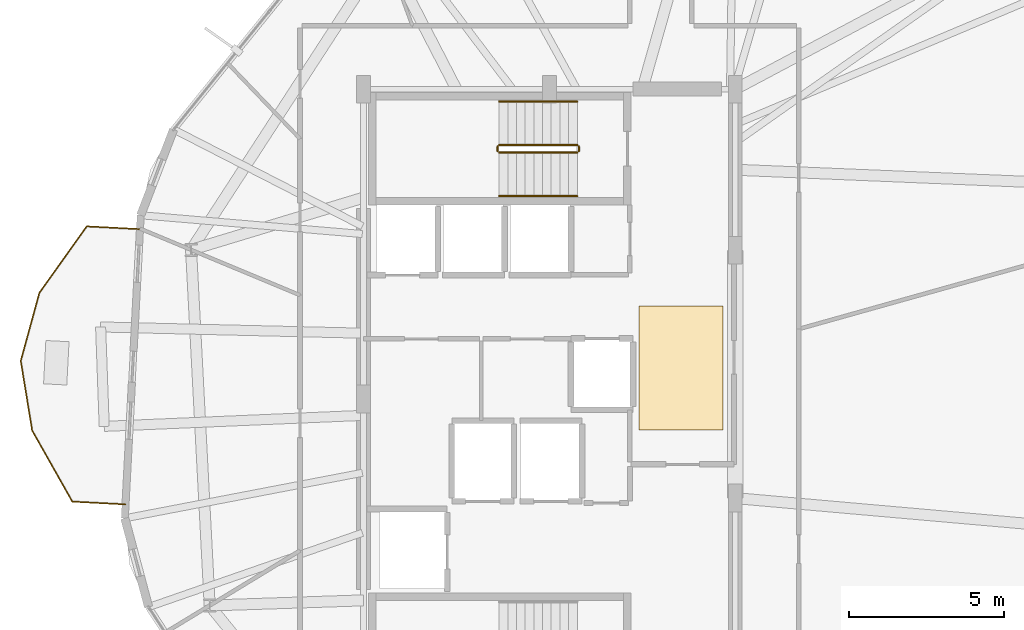
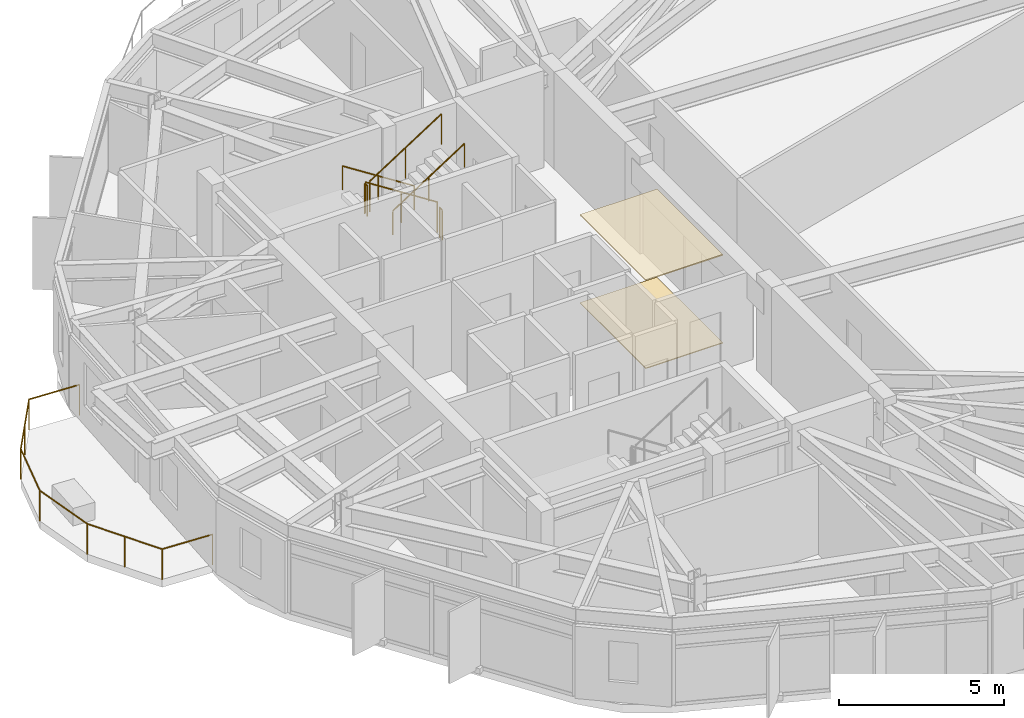
# One storey, part 28 of 29: 7 railings, 2 coverings.
"""IFC4 building model written with IfcOpenShell, lengths in metres."""

from ifc_helpers import new_model, si_unit, direction, frame, origin, origin_2d, place, context, subcontext, project, spatial, polyline, circle, outline, extrude, material, layer, layer_set, type_object, element, save


model = new_model("IFC4")

# Units and contexts
model_context = context("Model", 3, precision=1e-05, world=origin(), true_north=direction((0.0, 1.0)))
body_context = subcontext(model_context, "Body", "Model", "MODEL_VIEW")
ifc_project = project(units=[si_unit("LENGTHUNIT", "METRE"), si_unit("AREAUNIT", "SQUARE_METRE"), si_unit("VOLUMEUNIT", "CUBIC_METRE"), si_unit("PLANEANGLEUNIT", "RADIAN"), si_unit("MASSUNIT", "GRAM", prefix="KILO")], contexts=[model_context])

# Site, building, storey
site_placement = place(None, origin())
site = spatial("IfcSite", under=ifc_project, at=site_placement, CompositionType="ELEMENT")
building_placement = place(site_placement, origin())
building = spatial("IfcBuilding", under=site, at=building_placement, Name="Soratama Intermodal Tower", CompositionType="ELEMENT")
storey_placement = place(building_placement, frame((0.0, 0.0, 219.39990234375)))
storey = spatial("IfcBuildingStorey", under=building, at=storey_placement, Name="L55", CompositionType="ELEMENT", Elevation=219.39990234375)

# Coverings
ifc_material_1 = material(Name="Perforated mineral acoustic ceiling", Category="concrete")
ifc_layer_1 = layer(ifc_material_1, 0.0400390625)
ifc_layer_set_1 = layer_set([ifc_layer_1], Name="Perforated mineral acoustic ceiling")
covering_type_1 = type_object("IfcCoveringType", Name="CV-CEIL-ACOUSTIC", PredefinedType="CEILING", material=ifc_layer_set_1)
covering_1_placement = place(storey_placement, frame((0.0, 0.0, 3.260009765625)))
element("IfcCovering", 1, at=covering_1_placement, inside=storey, type_object=covering_type_1, Name="L55 Acoustic Ceiling", PredefinedType="CEILING", context=body_context, shape_type="SweptSolid", body=[
    extrude(outline(polyline([(41.5, 24.0), (44.199951171875, 24.0), (44.199951171875, 28.0), (41.5, 28.0), (41.5, 24.0)])), origin(), (0.0, 0.0, 1.0), 0.0400390625),
])
ifc_material_2 = material(Name="Polished Andean stone terrazzo flooring", Category="masonry")
ifc_layer_2 = layer(ifc_material_2, 0.030029296875)
ifc_layer_set_2 = layer_set([ifc_layer_2], Name="Polished Andean stone terrazzo flooring")
covering_type_2 = type_object("IfcCoveringType", Name="CV-FLOR-TERRAZZO", PredefinedType="FLOORING", material=ifc_layer_set_2)
covering_2_placement = place(storey_placement, origin())
element("IfcCovering", 2, at=covering_2_placement, inside=storey, type_object=covering_type_2, Name="L55 Lobby Terrazzo Flooring", PredefinedType="FLOORING", context=body_context, shape_type="SweptSolid", body=[
    extrude(outline(polyline([(41.5, 24.0), (44.199951171875, 24.0), (44.199951171875, 28.0), (41.5, 28.0), (41.5, 24.0)])), origin(), (0.0, 0.0, 1.0), 0.030029296875),
])

# Railings
ifc_material_3 = material(Name="Laminated glass and stainless steel balustrade", Category="steel")
railing_type_1 = type_object("IfcRailingType", Name="RL-BAL-1150", PredefinedType="BALUSTRADE", material=ifc_material_3)
railing_1_placement = place(storey_placement, frame((24.917236328125, 21.59765625, 0.0)))
element("IfcRailing", 3, at=railing_1_placement, inside=storey, type_object=railing_type_1, Name="L55 Balcony Balustrade 2", PredefinedType="BALUSTRADE", context=body_context, shape_type="SweptSolid", body=[
    extrude(circle(Radius=0.02392578125, at=origin_2d()), frame((0.0, 0.0, 1.1259765625), z_axis=(-0.998634639683, 0.052238457342, 0.0), x_axis=(-0.052238457342, -0.998634639683, 0.0)), (0.0, 0.0, 1.0), 1.719970703125),
    extrude(circle(Radius=0.02392578125, at=origin_2d()), frame((-1.717529296875, 0.08984375, 1.1259765625), z_axis=(-0.49190468046, 0.870649059806, 0.0), x_axis=(-0.870649059806, -0.49190468046, 0.0)), (0.0, 0.0, 1.0), 2.636474609375),
    extrude(circle(Radius=0.02392578125, at=origin_2d()), frame((-3.014404296875, 2.38525390625, 1.1259765625), z_axis=(-0.161494264693, 0.986873650713, 0.0), x_axis=(-0.986873650713, -0.161494264693, 0.0)), (0.0, 0.0, 1.0), 2.276611328125),
    extrude(circle(Radius=0.02392578125, at=origin_2d()), frame((-3.382080078125, 4.632080078125, 1.1259765625), z_axis=(0.263797869546, 0.964577982344, 0.0), x_axis=(-0.964577982344, 0.263797869546, 0.0)), (0.0, 0.0, 1.0), 2.276611328125),
    extrude(circle(Radius=0.02392578125, at=origin_2d()), frame((-2.781494140625, 6.828125, 1.1259765625), z_axis=(0.580186487536, 0.814483664465, 0.0), x_axis=(-0.814483664465, 0.580186487536, 0.0)), (0.0, 0.0, 1.0), 2.63623046875),
    extrude(circle(Radius=0.02392578125, at=origin_2d()), frame((-1.251953125, 8.975341796875, 1.1259765625), z_axis=(0.998627613842, -0.052372596576, 0.0), x_axis=(0.052372596576, 0.998627613842, 0.0)), (0.0, 0.0, 1.0), 1.72021484375),
    extrude(circle(Radius=0.02099609375, at=origin_2d()), origin(), (0.0, 0.0, 1.0), 1.101806640625),
    extrude(circle(Radius=0.02099609375, at=origin_2d()), frame((-1.717529296875, 0.08984375, 0.0)), (0.0, 0.0, 1.0), 1.101806640625),
    extrude(circle(Radius=0.02099609375, at=origin_2d()), frame((-2.365966796875, 1.237548828125, 0.0)), (0.0, 0.0, 1.0), 1.101806640625),
    extrude(circle(Radius=0.02099609375, at=origin_2d()), frame((-3.014404296875, 2.38525390625, 0.0)), (0.0, 0.0, 1.0), 1.101806640625),
    extrude(circle(Radius=0.02099609375, at=origin_2d()), frame((-3.382080078125, 4.632080078125, 0.0)), (0.0, 0.0, 1.0), 1.101806640625),
    extrude(circle(Radius=0.02099609375, at=origin_2d()), frame((-2.781494140625, 6.828125, 0.0)), (0.0, 0.0, 1.0), 1.101806640625),
    extrude(circle(Radius=0.02099609375, at=origin_2d()), frame((-2.0166015625, 7.90185546875, 0.0)), (0.0, 0.0, 1.0), 1.101806640625),
    extrude(circle(Radius=0.02099609375, at=origin_2d()), frame((-1.251953125, 8.975341796875, 0.0)), (0.0, 0.0, 1.0), 1.101806640625),
    extrude(circle(Radius=0.02099609375, at=origin_2d()), frame((0.4658203125, 8.88525390625, 0.0)), (0.0, 0.0, 1.0), 1.101806640625),
])
ifc_material_4 = material(Name="Painted steel stair guardrail", Category="steel")
railing_type_2 = type_object("IfcRailingType", Name="RL-STAIR-GUARD", PredefinedType="GUARDRAIL", material=ifc_material_4)
railing_2_placement = place(storey_placement, frame((39.5, 33.199951171875, 0.18017578125)))
element("IfcRailing", 4, at=railing_2_placement, inside=storey, type_object=railing_type_2, Name="L55 ST-2 stair guard 1", PredefinedType="GUARDRAIL", context=body_context, shape_type="SweptSolid", body=[
    extrude(circle(Radius=0.02392578125, at=origin_2d()), frame((0.0, 0.0, 1.1259765625), z_axis=(-0.841199657755, 0.0, 0.540724639528), x_axis=(0.0, -1.0, 0.0)), (0.0, 0.0, 1.0), 2.995849609375),
    extrude(circle(Radius=0.02099609375, at=origin_2d()), origin(), (0.0, 0.0, 1.0), 1.101806640625),
    extrude(circle(Radius=0.02099609375, at=origin_2d()), frame((-1.260009765625, 0.0, 0.81005859375)), (0.0, 0.0, 1.0), 1.101806640625),
    extrude(circle(Radius=0.02099609375, at=origin_2d()), frame((-2.52001953125, 0.0, 1.619873046875)), (0.0, 0.0, 1.0), 1.101806640625),
])
railing_3_placement = place(storey_placement, frame((36.929931640625, 33.14990234375, 1.800048828125)))
element("IfcRailing", 5, at=railing_3_placement, inside=storey, type_object=railing_type_2, Name="L55 ST-2 stair guard 2", PredefinedType="GUARDRAIL", context=body_context, shape_type="SweptSolid", body=[
    extrude(circle(Radius=0.02392578125, at=origin_2d()), frame((0.0, 0.0, 1.1259765625), z_axis=(0.0, -1.0, 0.0), x_axis=(1.0, 0.0, 0.0)), (0.0, 0.0, 1.0), 0.14990234375),
    extrude(circle(Radius=0.02099609375, at=origin_2d()), origin(), (0.0, 0.0, 1.0), 1.101806640625),
    extrude(circle(Radius=0.02099609375, at=origin_2d()), frame((0.0, -0.14990234375, 0.0)), (0.0, 0.0, 1.0), 1.101806640625),
])
railing_4_placement = place(storey_placement, frame((36.97998046875, 32.949951171875, 1.97998046875)))
element("IfcRailing", 6, at=railing_4_placement, inside=storey, type_object=railing_type_2, Name="L55 ST-2 stair guard 3", PredefinedType="GUARDRAIL", context=body_context, shape_type="SweptSolid", body=[
    extrude(circle(Radius=0.02392578125, at=origin_2d()), frame((0.0, 0.0, 1.1259765625), z_axis=(0.841162588446, 0.0, 0.540782303519), x_axis=(0.0, 1.0, 0.0)), (0.0, 0.0, 1.0), 2.995849609375),
    extrude(circle(Radius=0.02099609375, at=origin_2d()), origin(), (0.0, 0.0, 1.0), 1.101806640625),
    extrude(circle(Radius=0.02099609375, at=origin_2d()), frame((1.260009765625, 0.0, 0.81005859375)), (0.0, 0.0, 1.0), 1.101806640625),
    extrude(circle(Radius=0.02099609375, at=origin_2d()), frame((2.52001953125, 0.0, 1.6201171875)), (0.0, 0.0, 1.0), 1.101806640625),
])
railing_5_placement = place(storey_placement, frame((39.550048828125, 33.14990234375, 0.0)))
element("IfcRailing", 7, at=railing_5_placement, inside=storey, type_object=railing_type_2, Name="L55 ST-2 stair guard 4", PredefinedType="GUARDRAIL", context=body_context, shape_type="SweptSolid", body=[
    extrude(circle(Radius=0.02392578125, at=origin_2d()), frame((0.0, 0.0, 1.1259765625), z_axis=(0.0, -1.0, 0.0), x_axis=(1.0, 0.0, 0.0)), (0.0, 0.0, 1.0), 0.14990234375),
    extrude(circle(Radius=0.02099609375, at=origin_2d()), origin(), (0.0, 0.0, 1.0), 1.101806640625),
    extrude(circle(Radius=0.02099609375, at=origin_2d()), frame((0.0, -0.14990234375, 0.0)), (0.0, 0.0, 1.0), 1.101806640625),
])
ifc_material_5 = material(Name="Brushed stainless steel handrail", Category="steel")
railing_type_3 = type_object("IfcRailingType", Name="RL-STAIR-HAND", PredefinedType="HANDRAIL", material=ifc_material_5)
railing_6_placement = place(storey_placement, frame((39.5, 34.60009765625, 0.18017578125)))
element("IfcRailing", 8, at=railing_6_placement, inside=storey, type_object=railing_type_3, Name="L55 ST-2 stair handrail 1", PredefinedType="HANDRAIL", context=body_context, shape_type="SweptSolid", body=[
    extrude(circle(Radius=0.02392578125, at=origin_2d()), frame((0.0, 0.0, 0.8759765625), z_axis=(-0.841199657755, 0.0, 0.540724639528), x_axis=(0.0, -1.0, 0.0)), (0.0, 0.0, 1.0), 2.995849609375),
    extrude(circle(Radius=0.02099609375, at=origin_2d()), origin(), (0.0, 0.0, 1.0), 0.851806640625),
    extrude(circle(Radius=0.02099609375, at=origin_2d()), frame((-1.260009765625, 0.0, 0.81005859375)), (0.0, 0.0, 1.0), 0.851806640625),
    extrude(circle(Radius=0.02099609375, at=origin_2d()), frame((-2.52001953125, 0.0, 1.619873046875)), (0.0, 0.0, 1.0), 0.851806640625),
])
railing_7_placement = place(storey_placement, frame((36.97998046875, 31.550048828125, 1.97998046875)))
element("IfcRailing", 9, at=railing_7_placement, inside=storey, type_object=railing_type_3, Name="L55 ST-2 stair handrail 2", PredefinedType="HANDRAIL", context=body_context, shape_type="SweptSolid", body=[
    extrude(circle(Radius=0.02392578125, at=origin_2d()), frame((0.0, 0.0, 0.8759765625), z_axis=(0.841162588446, 0.0, 0.540782303519), x_axis=(0.0, 1.0, 0.0)), (0.0, 0.0, 1.0), 2.995849609375),
    extrude(circle(Radius=0.02099609375, at=origin_2d()), origin(), (0.0, 0.0, 1.0), 0.851806640625),
    extrude(circle(Radius=0.02099609375, at=origin_2d()), frame((1.260009765625, 0.0, 0.81005859375)), (0.0, 0.0, 1.0), 0.851806640625),
    extrude(circle(Radius=0.02099609375, at=origin_2d()), frame((2.52001953125, 0.0, 1.6201171875)), (0.0, 0.0, 1.0), 0.851806640625),
])

save(model, "model.ifc")
